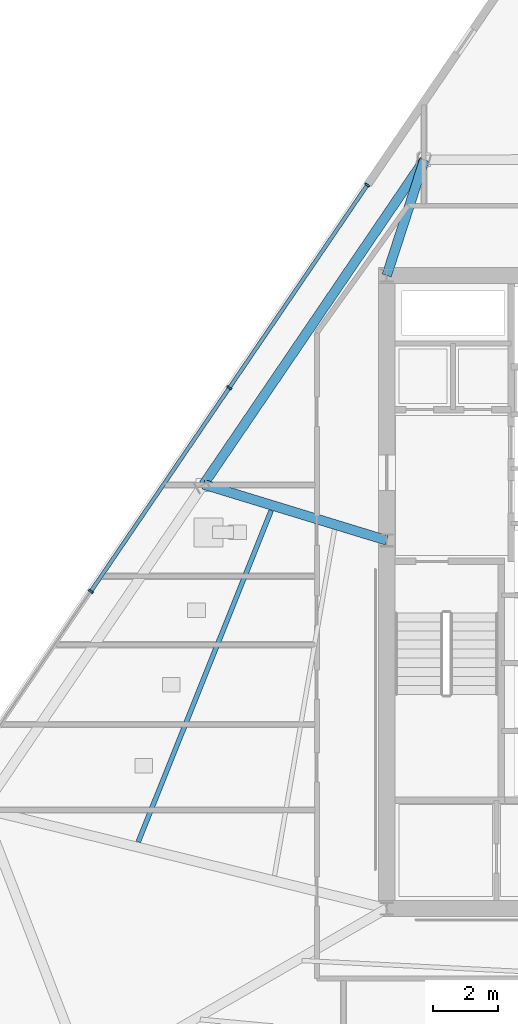
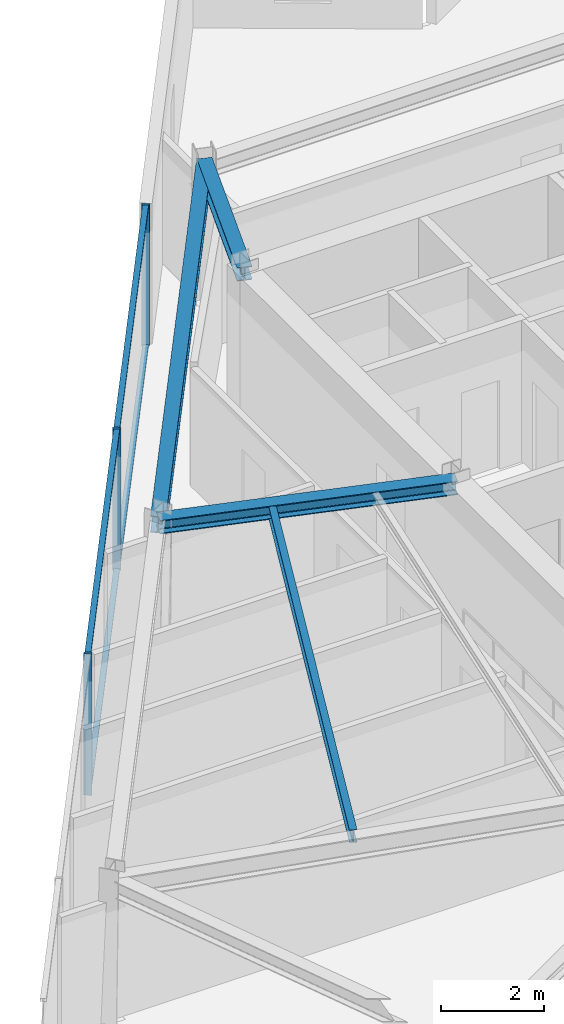
# One storey, part 4 of 15: 7 members, 4 beams, 1 element without a shape of its own.
"""IFC4 building model written with IfcOpenShell, lengths in metres."""

from ifc_helpers import new_model, si_unit, direction, frame, origin, origin_2d, place, context, subcontext, project, spatial, rectangle, i_section, extrude, material, material_profile, profile_set, type_object, element, aggregate, save


model = new_model("IFC4")

# Units and contexts
model_context = context("Model", 3, precision=1e-05, world=origin(), true_north=direction((0.0, 1.0)))
body_context = subcontext(model_context, "Body", "Model", "MODEL_VIEW")
ifc_project = project(units=[si_unit("LENGTHUNIT", "METRE"), si_unit("AREAUNIT", "SQUARE_METRE"), si_unit("VOLUMEUNIT", "CUBIC_METRE"), si_unit("PLANEANGLEUNIT", "RADIAN"), si_unit("MASSUNIT", "GRAM", prefix="KILO")], contexts=[model_context])

# Site, building, storey
site_placement = place(None, origin())
site = spatial("IfcSite", under=ifc_project, at=site_placement, CompositionType="ELEMENT")
building_placement = place(site_placement, origin())
building = spatial("IfcBuilding", under=site, at=building_placement, Name="Savorim Split Tower", CompositionType="ELEMENT")
storey_placement = place(building_placement, frame((0.0, 0.0, 194.699951171875)))
storey = spatial("IfcBuildingStorey", under=building, at=storey_placement, Name="L51", CompositionType="ELEMENT", Elevation=194.699951171875)

# Beams
ifc_material_1 = material(Name="Steel S355", Category="steel")
ifc_material_profile_1 = material_profile(ifc_material_1, i_section(OverallWidth=0.14990234375, OverallDepth=0.300048828125, WebThickness=0.007080078125, FlangeThickness=0.0107421875, FilletRadius=0.014892578125, at=origin_2d()), Name="IPE 300")
ifc_profile_set_1 = profile_set([ifc_material_profile_1], Name="Steel S355")
beam_type_1 = type_object("IfcBeamType", Name="BM-JST-IPE300", PredefinedType="JOIST", material=ifc_profile_set_1)
beam_1_placement = place(storey_placement, frame((-11.2744140625, 2.92626953125, 3.199951171875), z_axis=(-0.372391469878, -0.928075747535, 0.0), x_axis=(0.928075747535, -0.372391469878, 0.0)))
element("IfcBeam", 1, at=beam_1_placement, inside=storey, type_object=beam_type_1, Name="L51 Secondary Floor Joist JS-10", PredefinedType="JOIST", context=body_context, shape_type="SweptSolid", body=[
    extrude(i_section(OverallWidth=0.14990234375, OverallDepth=0.300048828125, WebThickness=0.007080078125, FlangeThickness=0.0107421875, FilletRadius=0.014892578125, at=origin_2d()), origin(), (0.0, 0.0, 1.0), 11.059326171875),
])
ifc_material_profile_2 = material_profile(ifc_material_1, i_section(OverallWidth=0.300048828125, OverallDepth=0.320068359375, WebThickness=0.011474609375, FlangeThickness=0.0205078125, FilletRadius=0.027099609375, at=origin_2d()), Name="HEB 320")
ifc_profile_set_2 = profile_set([ifc_material_profile_2], Name="Steel S355")
beam_type_2 = type_object("IfcBeamType", Name="BM-PRI-HEB320", PredefinedType="BEAM", material=ifc_profile_set_2)
beam_2_placement = place(storey_placement, frame((-6.534423828125, 13.780517578125, 3.18994140625), z_axis=(-0.309528787991, -0.950890072198, 0.0), x_axis=(0.950890072198, -0.309528787991, 0.0)))
element("IfcBeam", 2, at=beam_2_placement, inside=storey, type_object=beam_type_2, Name="L51 Primary Floor Girder RG-08", PredefinedType="BEAM", context=body_context, shape_type="SweptSolid", body=[
    extrude(i_section(OverallWidth=0.300048828125, OverallDepth=0.320068359375, WebThickness=0.011474609375, FlangeThickness=0.0205078125, FilletRadius=0.027099609375, at=origin_2d()), origin(), (0.0, 0.0, 1.0), 3.765380859375),
])
beam_3_placement = place(storey_placement, frame((-13.369140625, 3.733642578125, 3.18994140625), z_axis=(0.956286010449, -0.292433011507, 0.0), x_axis=(0.292433011507, 0.956286010449, 0.0)))
element("IfcBeam", 3, at=beam_3_placement, inside=storey, type_object=beam_type_2, Name="L51 Primary Floor Girder RG-09", PredefinedType="BEAM", context=body_context, shape_type="SweptSolid", body=[
    extrude(i_section(OverallWidth=0.300048828125, OverallDepth=0.320068359375, WebThickness=0.011474609375, FlangeThickness=0.0205078125, FilletRadius=0.027099609375, at=origin_2d()), origin(), (0.0, 0.0, 1.0), 5.92822265625),
])
ifc_material_profile_3 = material_profile(ifc_material_1, i_section(OverallWidth=0.300048828125, OverallDepth=0.389892578125, WebThickness=0.010986328125, FlangeThickness=0.01904296875, FilletRadius=0.027099609375, at=origin_2d()), Name="HEA 400")
ifc_profile_set_3 = profile_set([ifc_material_profile_3], Name="Steel S355")
beam_type_3 = type_object("IfcBeamType", Name="BM-SPN-HEA400", PredefinedType="SPANDREL", material=ifc_profile_set_3)
beam_4_placement = place(storey_placement, frame((-6.534423828125, 13.780517578125, 3.155029296875), z_axis=(-0.562469931945, -0.82681774029, 0.0), x_axis=(0.82681774029, -0.562469931945, 0.0)))
element("IfcBeam", 4, at=beam_4_placement, inside=storey, type_object=beam_type_3, Name="L51 Perimeter Spandrel Beam 8", PredefinedType="SPANDREL", context=body_context, shape_type="SweptSolid", body=[
    extrude(i_section(OverallWidth=0.300048828125, OverallDepth=0.389892578125, WebThickness=0.010986328125, FlangeThickness=0.01904296875, FilletRadius=0.027099609375, at=origin_2d()), origin(), (0.0, 0.0, 1.0), 12.1513671875),
])

# Curtain wall, members
ifc_material_2 = material(Name="Dark Ceramic-Fritted Insulated Glass", Category="glass")
curtain_wall_type = type_object("IfcCurtainWallType", Name="CW-TWR-FRIT-B", PredefinedType="NOTDEFINED", material=ifc_material_2)
curtain_wall_placement = place(storey_placement, origin())
curtain_wall = element("IfcCurtainWall", 5, at=curtain_wall_placement, inside=storey, type_object=curtain_wall_type, Name="L51 Curtain Wall CW-L51-WEST", PredefinedType="NOTDEFINED")
ifc_material_3 = material(Name="Charcoal Anodised Aluminium", Category="aluminium")
ifc_material_profile_4 = material_profile(ifc_material_3, rectangle(XDim=0.159912109375, YDim=0.06005859375, at=origin_2d()), Name="ALU-M 160x60")
ifc_profile_set_4 = profile_set([ifc_material_profile_4], Name="Charcoal Anodised Aluminium")
member_type_1 = type_object("IfcMemberType", Name="CWM-160x60", PredefinedType="MULLION", material=ifc_profile_set_4)
member_1_placement = place(storey_placement, frame((-8.30078125, 13.0009765625, 0.0), z_axis=(0.0, 0.0, 1.0), x_axis=(0.826820907104, -0.562465276773, 0.0)))
member_1 = element("IfcMember", 6, at=member_1_placement, type_object=member_type_1, Name="CW-03 mullion 1", PredefinedType="MULLION", context=body_context, shape_type="SweptSolid", body=[
    extrude(rectangle(XDim=0.159912109375, YDim=0.06005859375, at=origin_2d()), origin(), (0.0, 0.0, 1.0), 3.35009765625),
])
member_2_placement = place(storey_placement, frame((-12.57177734375, 6.72265625, 0.0), z_axis=(0.0, 0.0, 1.0), x_axis=(0.826820907104, -0.562465276773, 0.0)))
member_2 = element("IfcMember", 7, at=member_2_placement, type_object=member_type_1, Name="CW-03 mullion 2", PredefinedType="MULLION", context=body_context, shape_type="SweptSolid", body=[
    extrude(rectangle(XDim=0.159912109375, YDim=0.06005859375, at=origin_2d()), origin(), (0.0, 0.0, 1.0), 3.35009765625),
])
member_3_placement = place(storey_placement, frame((-16.85986328125, 0.419189453125, 0.0), z_axis=(0.0, 0.0, 1.0), x_axis=(0.826820907104, -0.562465276773, 0.0)))
member_3 = element("IfcMember", 8, at=member_3_placement, type_object=member_type_1, Name="CW-03 mullion 3", PredefinedType="MULLION", context=body_context, shape_type="SweptSolid", body=[
    extrude(rectangle(XDim=0.159912109375, YDim=0.06005859375, at=origin_2d()), origin(), (0.0, 0.0, 1.0), 3.35009765625),
])
ifc_material_profile_5 = material_profile(ifc_material_3, rectangle(XDim=0.1201171875, YDim=0.050048828125, at=origin_2d()), Name="ALU-T 120x50")
ifc_profile_set_5 = profile_set([ifc_material_profile_5], Name="Charcoal Anodised Aluminium")
member_type_2 = type_object("IfcMemberType", Name="CWT-120x50", PredefinedType="USERDEFINED", material=ifc_profile_set_5)
member_4_placement = place(storey_placement, frame((-8.317626953125, 12.976318359375, 0.025146484375), z_axis=(-0.562453610104, -0.826828843523, 0.0), x_axis=(0.826828843523, -0.562453610104, 0.0)))
member_4 = element("IfcMember", 9, at=member_4_placement, type_object=member_type_2, Name="CW-03 transom 1.1", ObjectType="TRANSOM", PredefinedType="USERDEFINED", context=body_context, shape_type="SweptSolid", body=[
    extrude(rectangle(XDim=0.1201171875, YDim=0.050048828125, at=origin_2d()), origin(), (0.0, 0.0, 1.0), 7.53369140625),
])
member_5_placement = place(storey_placement, frame((-8.317626953125, 12.976318359375, 3.324951171875), z_axis=(-0.562453610104, -0.826828843523, 0.0), x_axis=(0.826828843523, -0.562453610104, 0.0)))
member_5 = element("IfcMember", 10, at=member_5_placement, type_object=member_type_2, Name="CW-03 transom 1.2", ObjectType="TRANSOM", PredefinedType="USERDEFINED", context=body_context, shape_type="SweptSolid", body=[
    extrude(rectangle(XDim=0.1201171875, YDim=0.050048828125, at=origin_2d()), origin(), (0.0, 0.0, 1.0), 7.53369140625),
])
member_6_placement = place(storey_placement, frame((-12.588623046875, 6.69775390625, 0.025146484375), z_axis=(-0.562460105571, -0.826824424918, 0.0), x_axis=(0.826824424918, -0.562460105571, 0.0)))
member_6 = element("IfcMember", 11, at=member_6_placement, type_object=member_type_2, Name="CW-03 transom 2.1", ObjectType="TRANSOM", PredefinedType="USERDEFINED", context=body_context, shape_type="SweptSolid", body=[
    extrude(rectangle(XDim=0.1201171875, YDim=0.050048828125, at=origin_2d()), origin(), (0.0, 0.0, 1.0), 7.5634765625),
])
member_7_placement = place(storey_placement, frame((-12.588623046875, 6.69775390625, 3.324951171875), z_axis=(-0.562460105571, -0.826824424918, 0.0), x_axis=(0.826824424918, -0.562460105571, 0.0)))
member_7 = element("IfcMember", 12, at=member_7_placement, type_object=member_type_2, Name="CW-03 transom 2.2", ObjectType="TRANSOM", PredefinedType="USERDEFINED", context=body_context, shape_type="SweptSolid", body=[
    extrude(rectangle(XDim=0.1201171875, YDim=0.050048828125, at=origin_2d()), origin(), (0.0, 0.0, 1.0), 7.5634765625),
])
aggregate(curtain_wall, [member_1, member_2, member_3, member_4, member_5, member_6, member_7])

save(model, "model.ifc")
